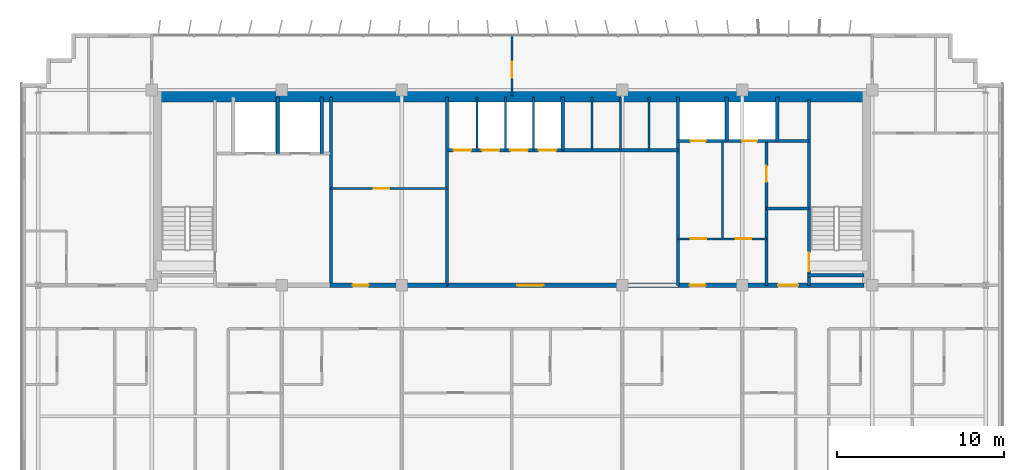
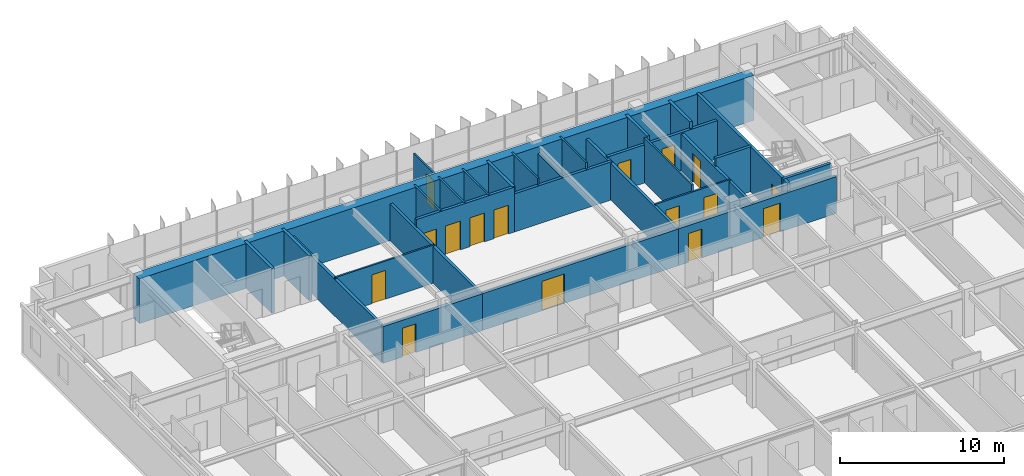
# One storey, part 19 of 22: 29 walls, 16 doors, 16 openings.
"""IFC4 building model written with IfcOpenShell, lengths in metres."""

from ifc_helpers import new_model, si_unit, direction, frame, frame_2d, origin, place, context, subcontext, project, spatial, rectangle, extrude, source, transform, mapped, material, layer, layer_set, type_object, element, fill, save


model = new_model("IFC4")

# Units and contexts
model_context = context("Model", 3, precision=1e-05, world=origin(), true_north=direction((0.0, 1.0)))
body_context = subcontext(model_context, "Body", "Model", "MODEL_VIEW")
ifc_project = project(units=[si_unit("LENGTHUNIT", "METRE"), si_unit("AREAUNIT", "SQUARE_METRE"), si_unit("VOLUMEUNIT", "CUBIC_METRE"), si_unit("PLANEANGLEUNIT", "RADIAN"), si_unit("MASSUNIT", "GRAM", prefix="KILO")], contexts=[model_context])

# Site, building, storey
site_placement = place(None, origin())
site = spatial("IfcSite", under=ifc_project, at=site_placement, CompositionType="ELEMENT")
building_placement = place(site_placement, origin())
building = spatial("IfcBuilding", under=site, at=building_placement, Name="Trelvane Seafront Commons", CompositionType="ELEMENT")
storey_placement = place(building_placement, frame((0.0, 0.0, 139.300048828125)))
storey = spatial("IfcBuildingStorey", under=building, at=storey_placement, Name="L36", CompositionType="ELEMENT", Elevation=139.300048828125)

# Wall, opening, door
ifc_material_1 = material(Name="Concrete C40/50", Category="concrete")
ifc_layer_1 = layer(ifc_material_1, 0.199951171875, Name="ARCH-WALL-FIRE200")
ifc_layer_set_1 = layer_set([ifc_layer_1], Name="Concrete C40/50")
wall_type_1 = type_object("IfcWallType", Name="ARCH-WALL-FIRE200", PredefinedType="PARTITIONING", material=ifc_layer_set_1)
wall_1_placement = place(storey_placement, frame((52.449951171875, 33.39990234375, 0.0), z_axis=(0.0, 0.0, 1.0), x_axis=(0.0, 1.0, 0.0)))
wall_1 = element("IfcWall", 1, at=wall_1_placement, inside=storey, type_object=wall_type_1, Name="W-L36-ST2V-W-031", PredefinedType="PARTITIONING", context=body_context, shape_type="SweptSolid", body=[
    extrude(rectangle(XDim=8.650146484375, YDim=0.199951171875, at=frame_2d((4.3251953125, 0.0))), origin(), (0.0, 0.0, 1.0), 2.75),
])
opening_1_placement = place(wall_1_placement, frame((6.199951171875, 0.0, 0.0)))
opening_1 = element("IfcOpeningElement", 2, at=opening_1_placement, cuts=wall_1, Name="Opening FD-L36-15", PredefinedType="OPENING", context=body_context, shape_type="SweptSolid", body=[
    extrude(rectangle(XDim=0.949951171875, YDim=2.14990234375, at=frame_2d((0.47509765625, 1.074951171875))), frame((0.0, 0.10986328125, 0.0), z_axis=(0.0, -1.0, 0.0), x_axis=(1.0, 0.0, 0.0)), (0.0, 0.0, 1.0), 0.219970703125),
])
ifc_material_2 = material(Name="Powder-coated aluminium frame", Category="aluminium")
door_type_1 = type_object("IfcDoorType", Name="ARCH-DR-FD60-950", OperationType="NOTDEFINED", PredefinedType="DOOR", material=ifc_material_2)
shared_shape_1 = source(origin(), body_context, "Body", "SweptSolid", [
    extrude(rectangle(XDim=0.949951171875, YDim=2.14990234375, at=frame_2d((0.47509765625, 1.074951171875))), frame((0.0, 0.02490234375, 0.0), z_axis=(0.0, -1.0, 0.0), x_axis=(1.0, 0.0, 0.0)), (0.0, 0.0, 1.0), 0.050048828125),
])
door_1_placement = place(opening_1_placement, origin())
door_1 = element("IfcDoor", 3, at=door_1_placement, inside=storey, type_object=door_type_1, Name="L36 Cleaner Store Door", OperationType="SINGLE_SWING_LEFT", OverallHeight=2.14990234375, OverallWidth=0.949951171875, PredefinedType="DOOR", context=body_context, shape_type="MappedRepresentation", body=[
    mapped(shared_shape_1, transform((0.0, 0.0, 0.0), x_axis=(1.0, 0.0, 0.0), y_axis=(0.0, 1.0, 0.0), z_axis=(0.0, 0.0, 1.0), scale=1.0)),
])
fill(opening_1, door_1)

# Wall
wall_2_placement = place(storey_placement, frame((52.449951171875, 38.0, 0.0), z_axis=(0.0, 0.0, 1.0), x_axis=(1.0, 0.0, 0.0)))
element("IfcWall", 4, at=wall_2_placement, inside=storey, type_object=wall_type_1, Name="W-L36-ST2V-N-032", PredefinedType="PARTITIONING", context=body_context, shape_type="SweptSolid", body=[
    extrude(rectangle(XDim=2.550048828125, YDim=0.199951171875, at=frame_2d((1.27490234375, 0.0))), origin(), (0.0, 0.0, 1.0), 3.349853515625),
])

# Wall, opening, door
ifc_layer_2 = layer(ifc_material_1, 0.25, Name="ARCH-WALL-FIRE250")
ifc_layer_set_2 = layer_set([ifc_layer_2], Name="Concrete C40/50")
wall_type_2 = type_object("IfcWallType", Name="ARCH-WALL-FIRE250", PredefinedType="PARTITIONING", material=ifc_layer_set_2)
wall_3_placement = place(storey_placement, frame((26.300048828125, 33.39990234375, 0.0), z_axis=(0.0, 0.0, 1.0), x_axis=(1.0, 0.0, 0.0)))
wall_3 = element("IfcWall", 5, at=wall_3_placement, inside=storey, type_object=wall_type_2, Name="W-L36-CS-FPL-026", PredefinedType="PARTITIONING", context=body_context, shape_type="SweptSolid", body=[
    extrude(rectangle(XDim=7.0, YDim=0.25, at=frame_2d((3.5, 0.0))), origin(), (0.0, 0.0, 1.0), 2.75),
])
opening_2_placement = place(wall_3_placement, frame((1.35009765625, 0.0, 0.0)))
opening_2 = element("IfcOpeningElement", 6, at=opening_2_placement, cuts=wall_3, Name="Opening D-L36-11", PredefinedType="OPENING", context=body_context, shape_type="SweptSolid", body=[
    extrude(rectangle(XDim=0.949951171875, YDim=2.14990234375, at=frame_2d((0.47509765625, 1.074951171875))), frame((0.0, 0.135009765625, 0.0), z_axis=(0.0, -1.0, 0.0), x_axis=(1.0, 0.0, 0.0)), (0.0, 0.0, 1.0), 0.27001953125),
])
ifc_material_3 = material(Name="Acoustic timber door leaf", Category="wood")
door_type_2 = type_object("IfcDoorType", Name="ARCH-DR-INT950", OperationType="NOTDEFINED", PredefinedType="DOOR", material=ifc_material_3)
door_2_placement = place(opening_2_placement, origin())
door_2 = element("IfcDoor", 7, at=door_2_placement, inside=storey, type_object=door_type_2, Name="L36 Floor Pantry Entrance Door", OperationType="SINGLE_SWING_LEFT", OverallHeight=2.14990234375, OverallWidth=0.949951171875, PredefinedType="DOOR", context=body_context, shape_type="MappedRepresentation", body=[
    mapped(shared_shape_1, transform((0.0, 0.0, 0.0), x_axis=(1.0, 0.0, 0.0), y_axis=(0.0, 1.0, 0.0), z_axis=(0.0, 0.0, 1.0), scale=1.0)),
])
fill(opening_2, door_2)

wall_4_placement = place(storey_placement, frame((33.300048828125, 33.39990234375, 0.0), z_axis=(0.0, 0.0, 1.0), x_axis=(1.0, 0.0, 0.0)))
wall_4 = element("IfcWall", 8, at=wall_4_placement, inside=storey, type_object=wall_type_2, Name="W-L36-CS-PAX-027", PredefinedType="PARTITIONING", context=body_context, shape_type="SweptSolid", body=[
    extrude(rectangle(XDim=13.849853515625, YDim=0.25, at=frame_2d((6.9248046875, 0.0))), origin(), (0.0, 0.0, 1.0), 2.75),
])
opening_3_placement = place(wall_4_placement, frame((4.199951171875, 0.0, 0.0)))
opening_3 = element("IfcOpeningElement", 9, at=opening_3_placement, cuts=wall_4, Name="Opening FD-L36-12", PredefinedType="OPENING", context=body_context, shape_type="SweptSolid", body=[
    extrude(rectangle(XDim=1.60009765625, YDim=2.199951171875, at=frame_2d((0.800048828125, 1.10009765625))), frame((0.0, 0.135009765625, 0.0), z_axis=(0.0, -1.0, 0.0), x_axis=(1.0, 0.0, 0.0)), (0.0, 0.0, 1.0), 0.27001953125),
])
door_type_3 = type_object("IfcDoorType", Name="ARCH-DR-FD60-1600", OperationType="DOUBLE_DOOR_SINGLE_SWING", PredefinedType="DOOR", material=ifc_material_2)
shared_shape_2 = source(origin(), body_context, "Body", "SweptSolid", [
    extrude(rectangle(XDim=1.60009765625, YDim=2.199951171875, at=frame_2d((0.800048828125, 1.10009765625))), frame((0.0, 0.02490234375, 0.0), z_axis=(0.0, -1.0, 0.0), x_axis=(1.0, 0.0, 0.0)), (0.0, 0.0, 1.0), 0.050048828125),
])
door_3_placement = place(opening_3_placement, origin())
door_3 = element("IfcDoor", 10, at=door_3_placement, inside=storey, type_object=door_type_3, Name="L36 Passenger Lift Lobby Double Door", OperationType="DOUBLE_DOOR_SINGLE_SWING", OverallHeight=2.199951171875, OverallWidth=1.60009765625, PredefinedType="DOOR", context=body_context, shape_type="MappedRepresentation", body=[
    mapped(shared_shape_2, transform((0.0, 0.0, 0.0), x_axis=(1.0, 0.0, 0.0), y_axis=(0.0, 1.0, 0.0), z_axis=(0.0, 0.0, 1.0), scale=1.0)),
])
fill(opening_3, door_3)

# Wall, openings, doors
wall_5_placement = place(storey_placement, frame((47.14990234375, 33.39990234375, 0.0), z_axis=(0.0, 0.0, 1.0), x_axis=(1.0, 0.0, 0.0)))
wall_5 = element("IfcWall", 11, at=wall_5_placement, inside=storey, type_object=wall_type_2, Name="W-L36-CS-EAST-035", PredefinedType="PARTITIONING", context=body_context, shape_type="SweptSolid", body=[
    extrude(rectangle(XDim=11.150146484375, YDim=0.25, at=frame_2d((5.5751953125, 0.0))), origin(), (0.0, 0.0, 1.0), 2.75),
])
opening_4_placement = place(wall_5_placement, frame((0.699951171875, 0.0, 0.0)))
opening_4 = element("IfcOpeningElement", 12, at=opening_4_placement, cuts=wall_5, Name="Opening FD-L36-18", PredefinedType="OPENING", context=body_context, shape_type="SweptSolid", body=[
    extrude(rectangle(XDim=0.949951171875, YDim=2.14990234375, at=frame_2d((0.47509765625, 1.074951171875))), frame((0.0, 0.135009765625, 0.0), z_axis=(0.0, -1.0, 0.0), x_axis=(1.0, 0.0, 0.0)), (0.0, 0.0, 1.0), 0.27001953125),
])
opening_5_placement = place(wall_5_placement, frame((6.0, 0.0, 0.0)))
opening_5 = element("IfcOpeningElement", 13, at=opening_5_placement, cuts=wall_5, Name="Opening FD-L36-19", PredefinedType="OPENING", context=body_context, shape_type="SweptSolid", body=[
    extrude(rectangle(XDim=1.199951171875, YDim=2.14990234375, at=frame_2d((0.60009765625, 1.074951171875))), frame((0.0, 0.135009765625, 0.0), z_axis=(0.0, -1.0, 0.0), x_axis=(1.0, 0.0, 0.0)), (0.0, 0.0, 1.0), 0.27001953125),
])
door_4_placement = place(opening_4_placement, origin())
door_4 = element("IfcDoor", 14, at=door_4_placement, inside=storey, type_object=door_type_1, Name="L36 Core Service Lobby Door", OperationType="SINGLE_SWING_RIGHT", OverallHeight=2.14990234375, OverallWidth=0.949951171875, PredefinedType="DOOR", context=body_context, shape_type="MappedRepresentation", body=[
    mapped(shared_shape_1, transform((0.0, 0.0, 0.0), x_axis=(1.0, 0.0, 0.0), y_axis=(0.0, 1.0, 0.0), z_axis=(0.0, 0.0, 1.0), scale=1.0)),
])
fill(opening_4, door_4)
door_type_4 = type_object("IfcDoorType", Name="ARCH-DR-FD60-1200", OperationType="NOTDEFINED", PredefinedType="DOOR", material=ifc_material_2)
shared_shape_3 = source(origin(), body_context, "Body", "SweptSolid", [
    extrude(rectangle(XDim=1.199951171875, YDim=2.14990234375, at=frame_2d((0.60009765625, 1.074951171875))), frame((0.0, 0.02490234375, 0.0), z_axis=(0.0, -1.0, 0.0), x_axis=(1.0, 0.0, 0.0)), (0.0, 0.0, 1.0), 0.050048828125),
])
door_5_placement = place(opening_5_placement, origin())
door_5 = element("IfcDoor", 15, at=door_5_placement, inside=storey, type_object=door_type_4, Name="L36 East Stair Vestibule Fire Door", OperationType="SINGLE_SWING_LEFT", OverallHeight=2.14990234375, OverallWidth=1.199951171875, PredefinedType="DOOR", context=body_context, shape_type="MappedRepresentation", body=[
    mapped(shared_shape_3, transform((0.0, 0.0, 0.0), x_axis=(1.0, 0.0, 0.0), y_axis=(0.0, 1.0, 0.0), z_axis=(0.0, 0.0, 1.0), scale=1.0)),
])
fill(opening_5, door_5)

# Wall, opening, door
ifc_material_4 = material(Name="Gypsum Drywall Acoustic Partition")
ifc_layer_3 = layer(ifc_material_4, 0.1201171875, Name="ARCH-WALL-PART120")
ifc_layer_set_3 = layer_set([ifc_layer_3], Name="Gypsum Drywall Acoustic Partition")
wall_type_3 = type_object("IfcWallType", Name="ARCH-WALL-PART120", PredefinedType="PARTITIONING", material=ifc_layer_set_3)
wall_6_placement = place(storey_placement, frame((26.300048828125, 39.199951171875, 0.0), z_axis=(0.0, 0.0, 1.0), x_axis=(1.0, 0.0, 0.0)))
wall_6 = element("IfcWall", 16, at=wall_6_placement, inside=storey, type_object=wall_type_3, Name="W-L36-FREED-PL-MID-014", PredefinedType="PARTITIONING", context=body_context, shape_type="SweptSolid", body=[
    extrude(rectangle(XDim=7.0, YDim=0.1201171875, at=frame_2d((3.5, 0.0))), origin(), (0.0, 0.0, 1.0), 2.849853515625),
])
opening_6_placement = place(wall_6_placement, frame((2.60009765625, 0.0, 0.0)))
opening_6 = element("IfcOpeningElement", 17, at=opening_6_placement, cuts=wall_6, Name="Opening D-L36-06", PredefinedType="OPENING", context=body_context, shape_type="SweptSolid", body=[
    extrude(rectangle(XDim=0.949951171875, YDim=2.14990234375, at=frame_2d((0.47509765625, 1.074951171875))), frame((0.0, 0.070068359375, 0.0), z_axis=(0.0, -1.0, 0.0), x_axis=(1.0, 0.0, 0.0)), (0.0, 0.0, 1.0), 0.14013671875),
])
door_6_placement = place(opening_6_placement, origin())
door_6 = element("IfcDoor", 18, at=door_6_placement, inside=storey, type_object=door_type_2, Name="L36 Housekeeping Store Door", OperationType="SINGLE_SWING_RIGHT", OverallHeight=2.14990234375, OverallWidth=0.949951171875, PredefinedType="DOOR", context=body_context, shape_type="MappedRepresentation", body=[
    mapped(shared_shape_1, transform((0.0, 0.0, 0.0), x_axis=(1.0, 0.0, 0.0), y_axis=(0.0, 1.0, 0.0), z_axis=(0.0, 0.0, 1.0), scale=1.0)),
])
fill(opening_6, door_6)

# Walls
for number, where, z_axis, x_axis, name in (
    (19, (35.10009765625, 41.5, 0.0), (0.0, 0.0, 1.0), (0.0, 1.0, 0.0), "W-L36-PM-DIV1-017"),
    (20, (36.800048828125, 41.5, 0.0), (0.0, 0.0, 1.0), (0.0, 1.0, 0.0), "W-L36-PM-DIV2-018"),
    (21, (38.5, 41.5, 0.0), (0.0, 0.0, 1.0), (0.0, 1.0, 0.0), "W-L36-PM-DIV3-019"),
    (22, (42.0, 41.5, 0.0), (0.0, 0.0, 1.0), (0.0, 1.0, 0.0), "W-L36-PH-DIV1-022"),
):
    element("IfcWall", number, at=place(storey_placement, frame(where, z_axis=z_axis, x_axis=x_axis)), inside=storey, type_object=wall_type_3, Name=name, PredefinedType="PARTITIONING", context=body_context, shape_type="SweptSolid", body=[
        extrude(rectangle(XDim=3.199951171875, YDim=0.1201171875, at=frame_2d((1.60009765625, 0.0))), origin(), (0.0, 0.0, 1.0), 3.349853515625),
    ])
wall_7_placement = place(storey_placement, frame((43.699951171875, 41.5, 0.0), z_axis=(0.0, 0.0, 1.0), x_axis=(0.0, 1.0, 0.0)))
element("IfcWall", 23, at=wall_7_placement, inside=storey, type_object=wall_type_3, Name="W-L36-PH-DIV2-023", PredefinedType="PARTITIONING", context=body_context, shape_type="SweptSolid", body=[
    extrude(rectangle(XDim=3.199951171875, YDim=0.1201171875, at=frame_2d((1.60009765625, 0.0))), origin(), (0.0, 0.0, 1.0), 2.849853515625),
])
wall_8_placement = place(storey_placement, frame((45.39990234375, 41.5, 0.0), z_axis=(0.0, 0.0, 1.0), x_axis=(0.0, 1.0, 0.0)))
element("IfcWall", 24, at=wall_8_placement, inside=storey, type_object=wall_type_3, Name="W-L36-PH-DIV3-024", PredefinedType="PARTITIONING", context=body_context, shape_type="SweptSolid", body=[
    extrude(rectangle(XDim=3.199951171875, YDim=0.1201171875, at=frame_2d((1.60009765625, 0.0))), origin(), (0.0, 0.0, 1.0), 3.349853515625),
])

# Wall, openings, doors
wall_9_placement = place(storey_placement, frame((47.14990234375, 36.179931640625, 0.0), z_axis=(0.0, 0.0, 1.0), x_axis=(1.0, 0.0, 0.0)))
wall_9 = element("IfcWall", 25, at=wall_9_placement, inside=storey, type_object=wall_type_3, Name="W-L36-CYC1-H-033", PredefinedType="PARTITIONING", context=body_context, shape_type="SweptSolid", body=[
    extrude(rectangle(XDim=5.300048828125, YDim=0.1201171875, at=frame_2d((2.64990234375, 0.0))), origin(), (0.0, 0.0, 1.0), 2.849853515625),
])
opening_7_placement = place(wall_9_placement, frame((0.75, 0.0, 0.0)))
opening_7 = element("IfcOpeningElement", 26, at=opening_7_placement, cuts=wall_9, Name="Opening D-L36-16", PredefinedType="OPENING", context=body_context, shape_type="SweptSolid", body=[
    extrude(rectangle(XDim=0.949951171875, YDim=2.14990234375, at=frame_2d((0.47509765625, 1.074951171875))), frame((0.0, 0.070068359375, 0.0), z_axis=(0.0, -1.0, 0.0), x_axis=(1.0, 0.0, 0.0)), (0.0, 0.0, 1.0), 0.14013671875),
])
opening_8_placement = place(wall_9_placement, frame((3.449951171875, 0.0, 0.0)))
opening_8 = element("IfcOpeningElement", 27, at=opening_8_placement, cuts=wall_9, Name="Opening D-L36-17", PredefinedType="OPENING", context=body_context, shape_type="SweptSolid", body=[
    extrude(rectangle(XDim=0.949951171875, YDim=2.14990234375, at=frame_2d((0.47509765625, 1.074951171875))), frame((0.0, 0.070068359375, 0.0), z_axis=(0.0, -1.0, 0.0), x_axis=(1.0, 0.0, 0.0)), (0.0, 0.0, 1.0), 0.14013671875),
])
door_7_placement = place(opening_7_placement, origin())
door_7 = element("IfcDoor", 28, at=door_7_placement, inside=storey, type_object=door_type_2, Name="L36 Accessible WC Door", OperationType="SINGLE_SWING_RIGHT", OverallHeight=2.14990234375, OverallWidth=0.949951171875, PredefinedType="DOOR", context=body_context, shape_type="MappedRepresentation", body=[
    mapped(shared_shape_1, transform((0.0, 0.0, 0.0), x_axis=(1.0, 0.0, 0.0), y_axis=(0.0, 1.0, 0.0), z_axis=(0.0, 0.0, 1.0), scale=1.0)),
])
fill(opening_7, door_7)
door_8_placement = place(opening_8_placement, origin())
door_8 = element("IfcDoor", 29, at=door_8_placement, inside=storey, type_object=door_type_2, Name="L36 BMS Room Door", OperationType="SINGLE_SWING_LEFT", OverallHeight=2.14990234375, OverallWidth=0.949951171875, PredefinedType="DOOR", context=body_context, shape_type="MappedRepresentation", body=[
    mapped(shared_shape_1, transform((0.0, 0.0, 0.0), x_axis=(1.0, 0.0, 0.0), y_axis=(0.0, 1.0, 0.0), z_axis=(0.0, 0.0, 1.0), scale=1.0)),
])
fill(opening_8, door_8)

# Wall
wall_10_placement = place(storey_placement, frame((49.820068359375, 36.179931640625, 0.0), z_axis=(0.0, 0.0, 1.0), x_axis=(0.0, 1.0, 0.0)))
element("IfcWall", 30, at=wall_10_placement, inside=storey, type_object=wall_type_3, Name="W-L36-CYC1-V-034", PredefinedType="PARTITIONING", context=body_context, shape_type="SweptSolid", body=[
    extrude(rectangle(XDim=5.820068359375, YDim=0.1201171875, at=frame_2d((2.91015625, 0.0))), origin(), (0.0, 0.0, 1.0), 3.349853515625),
])

# Wall, opening, door
wall_11_placement = place(storey_placement, frame((37.199951171875, 44.75, 0.0), z_axis=(0.0, 0.0, 1.0), x_axis=(0.0, 1.0, 0.0)))
wall_11 = element("IfcWall", 31, at=wall_11_placement, inside=storey, type_object=wall_type_3, Name="W-L36-N-MID-DV-048", PredefinedType="PARTITIONING", context=body_context, shape_type="SweptSolid", body=[
    extrude(rectangle(XDim=3.610107421875, YDim=0.1201171875, at=frame_2d((1.80517578125, 0.0))), origin(), (0.0, 0.0, 1.0), 2.75),
])
opening_9_placement = place(wall_11_placement, frame((1.10009765625, 0.0, 0.0)))
opening_9 = element("IfcOpeningElement", 32, at=opening_9_placement, cuts=wall_11, Name="Opening D-L36-28", PredefinedType="OPENING", context=body_context, shape_type="SweptSolid", body=[
    extrude(rectangle(XDim=0.949951171875, YDim=2.14990234375, at=frame_2d((0.47509765625, 1.074951171875))), frame((0.0, 0.070068359375, 0.0), z_axis=(0.0, -1.0, 0.0), x_axis=(1.0, 0.0, 0.0)), (0.0, 0.0, 1.0), 0.14013671875),
])
door_9_placement = place(opening_9_placement, origin())
door_9 = element("IfcDoor", 33, at=door_9_placement, inside=storey, type_object=door_type_2, Name="L36 Door 28", OperationType="SINGLE_SWING_RIGHT", OverallHeight=2.14990234375, OverallWidth=0.949951171875, PredefinedType="DOOR", context=body_context, shape_type="MappedRepresentation", body=[
    mapped(shared_shape_1, transform((0.0, 0.0, 0.0), x_axis=(1.0, 0.0, 0.0), y_axis=(0.0, 1.0, 0.0), z_axis=(0.0, 0.0, 1.0), scale=1.0)),
])
fill(opening_9, door_9)

# Walls
ifc_layer_4 = layer(ifc_material_1, 0.199951171875, Name="ARCH-WALL-SHAFT200")
ifc_layer_set_4 = layer_set([ifc_layer_4], Name="Concrete C40/50")
wall_type_4 = type_object("IfcWallType", Name="ARCH-WALL-SHAFT200", PredefinedType="SOLIDWALL", material=ifc_layer_set_4)
for number, where, z_axis, x_axis, name in (
    (34, (23.14990234375, 41.300048828125, 0.0), (0.0, 0.0, 1.0), (0.0, 1.0, 0.0), "W-L36-FFL-DIV-010"),
    (35, (25.800048828125, 41.300048828125, 0.0), (0.0, 0.0, 1.0), (0.0, 1.0, 0.0), "W-L36-FFL-SH-E-011"),
):
    element("IfcWall", number, at=place(storey_placement, frame(where, z_axis=z_axis, x_axis=x_axis)), inside=storey, type_object=wall_type_4, Name=name, PredefinedType="SOLIDWALL", context=body_context, shape_type="SweptSolid", body=[
        extrude(rectangle(XDim=3.39990234375, YDim=0.199951171875, at=frame_2d((1.699951171875, 0.0))), origin(), (0.0, 0.0, 1.0), 3.349853515625),
    ])
for number, where, z_axis, x_axis, name in (
    (36, (26.35009765625, 33.39990234375, 0.0), (0.0, 0.0, 1.0), (0.0, 1.0, 0.0), "W-L36-FFL-EAST-012"),
    (37, (33.300048828125, 33.39990234375, 0.0), (0.0, 0.0, 1.0), (0.0, 1.0, 0.0), "W-L36-FREED-PL-E-015"),
):
    element("IfcWall", number, at=place(storey_placement, frame(where, z_axis=z_axis, x_axis=x_axis)), inside=storey, type_object=wall_type_4, Name=name, PredefinedType="SOLIDWALL", context=body_context, shape_type="SweptSolid", body=[
        extrude(rectangle(XDim=11.300048828125, YDim=0.199951171875, at=frame_2d((5.64990234375, 0.0))), origin(), (0.0, 0.0, 1.0), 2.75),
    ])

# Wall, openings, doors
wall_12_placement = place(storey_placement, frame((33.35009765625, 41.5, 0.0), z_axis=(0.0, 0.0, 1.0), x_axis=(1.0, 0.0, 0.0)))
wall_12 = element("IfcWall", 38, at=wall_12_placement, inside=storey, type_object=wall_type_4, Name="W-L36-PM-FRONT-016", PredefinedType="SOLIDWALL", context=body_context, shape_type="SweptSolid", body=[
    extrude(rectangle(XDim=6.89990234375, YDim=0.199951171875, at=frame_2d((3.449951171875, 0.0))), origin(), (0.0, 0.0, 1.0), 3.349853515625),
])
opening_10_placement = place(wall_12_placement, frame((0.35009765625, 0.0, 0.0)))
opening_10 = element("IfcOpeningElement", 39, at=opening_10_placement, cuts=wall_12, Name="Opening LD-PM1-L36", PredefinedType="OPENING", context=body_context, shape_type="SweptSolid", body=[
    extrude(rectangle(XDim=1.050048828125, YDim=2.14990234375, at=frame_2d((0.52490234375, 1.074951171875))), frame((0.0, 0.10986328125, 0.0), z_axis=(0.0, -1.0, 0.0), x_axis=(1.0, 0.0, 0.0)), (0.0, 0.0, 1.0), 0.219970703125),
])
opening_11_placement = place(wall_12_placement, frame((2.050048828125, 0.0, 0.0)))
opening_11 = element("IfcOpeningElement", 40, at=opening_11_placement, cuts=wall_12, Name="Opening LD-PM2-L36", PredefinedType="OPENING", context=body_context, shape_type="SweptSolid", body=[
    extrude(rectangle(XDim=1.050048828125, YDim=2.14990234375, at=frame_2d((0.52490234375, 1.074951171875))), frame((0.0, 0.10986328125, 0.0), z_axis=(0.0, -1.0, 0.0), x_axis=(1.0, 0.0, 0.0)), (0.0, 0.0, 1.0), 0.219970703125),
])
opening_12_placement = place(wall_12_placement, frame((3.75, 0.0, 0.0)))
opening_12 = element("IfcOpeningElement", 41, at=opening_12_placement, cuts=wall_12, Name="Opening LD-PM3-L36", PredefinedType="OPENING", context=body_context, shape_type="SweptSolid", body=[
    extrude(rectangle(XDim=1.050048828125, YDim=2.14990234375, at=frame_2d((0.52490234375, 1.074951171875))), frame((0.0, 0.10986328125, 0.0), z_axis=(0.0, -1.0, 0.0), x_axis=(1.0, 0.0, 0.0)), (0.0, 0.0, 1.0), 0.219970703125),
])
opening_13_placement = place(wall_12_placement, frame((5.449951171875, 0.0, 0.0)))
opening_13 = element("IfcOpeningElement", 42, at=opening_13_placement, cuts=wall_12, Name="Opening LD-PM4-L36", PredefinedType="OPENING", context=body_context, shape_type="SweptSolid", body=[
    extrude(rectangle(XDim=1.050048828125, YDim=2.14990234375, at=frame_2d((0.52490234375, 1.074951171875))), frame((0.0, 0.10986328125, 0.0), z_axis=(0.0, -1.0, 0.0), x_axis=(1.0, 0.0, 0.0)), (0.0, 0.0, 1.0), 0.219970703125),
])
ifc_material_5 = material(Name="Stainless steel balustrade", Category="steel")
door_type_5 = type_object("IfcDoorType", Name="ARCH-DR-LD1050", OperationType="DOUBLE_DOOR_SLIDING", PredefinedType="DOOR", material=ifc_material_5)
shared_shape_4 = source(origin(), body_context, "Body", "SweptSolid", [
    extrude(rectangle(XDim=1.050048828125, YDim=2.14990234375, at=frame_2d((0.52490234375, 1.074951171875))), frame((0.0, 0.02490234375, 0.0), z_axis=(0.0, -1.0, 0.0), x_axis=(1.0, 0.0, 0.0)), (0.0, 0.0, 1.0), 0.050048828125),
])
door_10_placement = place(opening_10_placement, origin())
door_10 = element("IfcDoor", 43, at=door_10_placement, inside=storey, type_object=door_type_5, Name="L36 Passenger Lift PM-1 Landing Door", OperationType="DOUBLE_DOOR_SLIDING", OverallHeight=2.14990234375, OverallWidth=1.050048828125, PredefinedType="DOOR", context=body_context, shape_type="MappedRepresentation", body=[
    mapped(shared_shape_4, transform((0.0, 0.0, 0.0), x_axis=(1.0, 0.0, 0.0), y_axis=(0.0, 1.0, 0.0), z_axis=(0.0, 0.0, 1.0), scale=1.0)),
])
fill(opening_10, door_10)
door_11_placement = place(opening_11_placement, origin())
door_11 = element("IfcDoor", 44, at=door_11_placement, inside=storey, type_object=door_type_5, Name="L36 Passenger Lift PM-2 Landing Door", OperationType="DOUBLE_DOOR_SLIDING", OverallHeight=2.14990234375, OverallWidth=1.050048828125, PredefinedType="DOOR", context=body_context, shape_type="MappedRepresentation", body=[
    mapped(shared_shape_4, transform((0.0, 0.0, 0.0), x_axis=(1.0, 0.0, 0.0), y_axis=(0.0, 1.0, 0.0), z_axis=(0.0, 0.0, 1.0), scale=1.0)),
])
fill(opening_11, door_11)
door_12_placement = place(opening_12_placement, origin())
door_12 = element("IfcDoor", 45, at=door_12_placement, inside=storey, type_object=door_type_5, Name="L36 Passenger Lift PM-3 Landing Door", OperationType="DOUBLE_DOOR_SLIDING", OverallHeight=2.14990234375, OverallWidth=1.050048828125, PredefinedType="DOOR", context=body_context, shape_type="MappedRepresentation", body=[
    mapped(shared_shape_4, transform((0.0, 0.0, 0.0), x_axis=(1.0, 0.0, 0.0), y_axis=(0.0, 1.0, 0.0), z_axis=(0.0, 0.0, 1.0), scale=1.0)),
])
fill(opening_12, door_12)
door_13_placement = place(opening_13_placement, origin())
door_13 = element("IfcDoor", 46, at=door_13_placement, inside=storey, type_object=door_type_5, Name="L36 Passenger Lift PM-4 Landing Door", OperationType="DOUBLE_DOOR_SLIDING", OverallHeight=2.14990234375, OverallWidth=1.050048828125, PredefinedType="DOOR", context=body_context, shape_type="MappedRepresentation", body=[
    mapped(shared_shape_4, transform((0.0, 0.0, 0.0), x_axis=(1.0, 0.0, 0.0), y_axis=(0.0, 1.0, 0.0), z_axis=(0.0, 0.0, 1.0), scale=1.0)),
])
fill(opening_13, door_13)

# Walls
wall_13_placement = place(storey_placement, frame((40.25, 41.5, 0.0), z_axis=(0.0, 0.0, 1.0), x_axis=(1.0, 0.0, 0.0)))
element("IfcWall", 47, at=wall_13_placement, inside=storey, type_object=wall_type_4, Name="W-L36-PH-FRONT-020", PredefinedType="SOLIDWALL", context=body_context, shape_type="SweptSolid", body=[
    extrude(rectangle(XDim=6.89990234375, YDim=0.199951171875, at=frame_2d((3.449951171875, 0.0))), origin(), (0.0, 0.0, 1.0), 2.849853515625),
])
wall_14_placement = place(storey_placement, frame((40.25, 41.5, 0.0), z_axis=(0.0, 0.0, 1.0), x_axis=(0.0, 1.0, 0.0)))
element("IfcWall", 48, at=wall_14_placement, inside=storey, type_object=wall_type_4, Name="W-L36-PH-WEST-SH-021", PredefinedType="SOLIDWALL", context=body_context, shape_type="SweptSolid", body=[
    extrude(rectangle(XDim=3.199951171875, YDim=0.199951171875, at=frame_2d((1.60009765625, 0.0))), origin(), (0.0, 0.0, 1.0), 3.349853515625),
])
wall_15_placement = place(storey_placement, frame((47.14990234375, 33.39990234375, 0.0), z_axis=(0.0, 0.0, 1.0), x_axis=(0.0, 1.0, 0.0)))
element("IfcWall", 49, at=wall_15_placement, inside=storey, type_object=wall_type_4, Name="W-L36-PH-EAST-025", PredefinedType="SOLIDWALL", context=body_context, shape_type="SweptSolid", body=[
    extrude(rectangle(XDim=11.300048828125, YDim=0.199951171875, at=frame_2d((5.64990234375, 0.0))), origin(), (0.0, 0.0, 1.0), 2.75),
])

# Wall, openings, doors
wall_16_placement = place(storey_placement, frame((47.14990234375, 42.050048828125, 0.0), z_axis=(0.0, 0.0, 1.0), x_axis=(1.0, 0.0, 0.0)))
wall_16 = element("IfcWall", 50, at=wall_16_placement, inside=storey, type_object=wall_type_4, Name="W-L36-RSR-S-028", PredefinedType="SOLIDWALL", context=body_context, shape_type="SweptSolid", body=[
    extrude(rectangle(XDim=7.85009765625, YDim=0.199951171875, at=frame_2d((3.925048828125, 0.0))), origin(), (0.0, 0.0, 1.0), 2.849853515625),
])
opening_14_placement = place(wall_16_placement, frame((0.75, 0.0, 0.0)))
opening_14 = element("IfcOpeningElement", 51, at=opening_14_placement, cuts=wall_16, Name="Opening FD-L36-13", PredefinedType="OPENING", context=body_context, shape_type="SweptSolid", body=[
    extrude(rectangle(XDim=0.89990234375, YDim=2.10009765625, at=frame_2d((0.449951171875, 1.050048828125))), frame((0.0, 0.10986328125, 0.0), z_axis=(0.0, -1.0, 0.0), x_axis=(1.0, 0.0, 0.0)), (0.0, 0.0, 1.0), 0.219970703125),
])
opening_15_placement = place(wall_16_placement, frame((3.85009765625, 0.0, 0.0)))
opening_15 = element("IfcOpeningElement", 52, at=opening_15_placement, cuts=wall_16, Name="Opening FD-L36-14", PredefinedType="OPENING", context=body_context, shape_type="SweptSolid", body=[
    extrude(rectangle(XDim=0.89990234375, YDim=2.10009765625, at=frame_2d((0.449951171875, 1.050048828125))), frame((0.0, 0.10986328125, 0.0), z_axis=(0.0, -1.0, 0.0), x_axis=(1.0, 0.0, 0.0)), (0.0, 0.0, 1.0), 0.219970703125),
])
door_type_6 = type_object("IfcDoorType", Name="ARCH-DR-FD60-900", OperationType="NOTDEFINED", PredefinedType="DOOR", material=ifc_material_2)
shared_shape_5 = source(origin(), body_context, "Body", "SweptSolid", [
    extrude(rectangle(XDim=0.89990234375, YDim=2.10009765625, at=frame_2d((0.449951171875, 1.050048828125))), frame((0.0, 0.02490234375, 0.0), z_axis=(0.0, -1.0, 0.0), x_axis=(1.0, 0.0, 0.0)), (0.0, 0.0, 1.0), 0.050048828125),
])
door_14_placement = place(opening_14_placement, origin())
door_14 = element("IfcDoor", 53, at=door_14_placement, inside=storey, type_object=door_type_6, Name="L36 Electrical Riser Access Door", OperationType="SINGLE_SWING_LEFT", OverallHeight=2.10009765625, OverallWidth=0.89990234375, PredefinedType="DOOR", context=body_context, shape_type="MappedRepresentation", body=[
    mapped(shared_shape_5, transform((0.0, 0.0, 0.0), x_axis=(1.0, 0.0, 0.0), y_axis=(0.0, 1.0, 0.0), z_axis=(0.0, 0.0, 1.0), scale=1.0)),
])
fill(opening_14, door_14)
door_15_placement = place(opening_15_placement, origin())
door_15 = element("IfcDoor", 54, at=door_15_placement, inside=storey, type_object=door_type_6, Name="L36 Mechanical Riser Access Door", OperationType="SINGLE_SWING_RIGHT", OverallHeight=2.10009765625, OverallWidth=0.89990234375, PredefinedType="DOOR", context=body_context, shape_type="MappedRepresentation", body=[
    mapped(shared_shape_5, transform((0.0, 0.0, 0.0), x_axis=(1.0, 0.0, 0.0), y_axis=(0.0, 1.0, 0.0), z_axis=(0.0, 0.0, 1.0), scale=1.0)),
])
fill(opening_15, door_15)

# Walls
for number, where, z_axis, x_axis, name in (
    (55, (50.080078125, 42.050048828125, 0.0), (0.0, 0.0, 1.0), (0.0, 1.0, 0.0), "W-L36-RSR-DIV-029"),
    (56, (53.10009765625, 42.050048828125, 0.0), (0.0, 0.0, 1.0), (0.0, 1.0, 0.0), "W-L36-RSR-E-030"),
):
    element("IfcWall", number, at=place(storey_placement, frame(where, z_axis=z_axis, x_axis=x_axis)), inside=storey, type_object=wall_type_4, Name=name, PredefinedType="SOLIDWALL", context=body_context, shape_type="SweptSolid", body=[
        extrude(rectangle(XDim=2.64990234375, YDim=0.199951171875, at=frame_2d((1.324951171875, 0.0))), origin(), (0.0, 0.0, 1.0), 3.349853515625),
    ])
ifc_material_6 = material(Name="Concrete C60/75", Category="concrete")
ifc_layer_5 = layer(ifc_material_6, 0.699951171875, Name="STR-WALL-CORE700")
ifc_layer_set_5 = layer_set([ifc_layer_5], Name="Concrete C60/75")
wall_type_5 = type_object("IfcWallType", Name="STR-WALL-CORE700", PredefinedType="SHEAR", material=ifc_layer_set_5)
wall_17_placement = place(storey_placement, frame((15.5, 44.75, 0.0), z_axis=(0.0, 0.0, 1.0), x_axis=(1.0, 0.0, 0.0)))
element("IfcWall", 57, at=wall_17_placement, inside=storey, type_object=wall_type_5, Name="W-L36-CN-ALL-001", PredefinedType="SHEAR", context=body_context, shape_type="SweptSolid", body=[
    extrude(rectangle(XDim=43.39990234375, YDim=0.699951171875, at=frame_2d((21.699951171875, 0.0))), origin(), (0.0, 0.0, 1.0), 3.349853515625),
])
ifc_material_7 = material(Name="Concrete C50/60", Category="concrete")
ifc_layer_6 = layer(ifc_material_7, 0.199951171875, Name="STR-WALL-STAIR200")
ifc_layer_set_6 = layer_set([ifc_layer_6], Name="Concrete C50/60")
wall_type_6 = type_object("IfcWallType", Name="STR-WALL-STAIR200", PredefinedType="SHEAR", material=ifc_layer_set_6)
wall_18_placement = place(storey_placement, frame((54.89990234375, 34.0, 0.0), z_axis=(0.0, 0.0, 1.0), x_axis=(1.0, 0.0, 0.0)))
element("IfcWall", 58, at=wall_18_placement, inside=storey, type_object=wall_type_6, Name="W-L36-ST2-S-006", PredefinedType="SHEAR", context=body_context, shape_type="SweptSolid", body=[
    extrude(rectangle(XDim=3.400146484375, YDim=0.199951171875, at=frame_2d((1.7001953125, 0.0))), origin(), (0.0, 0.0, 1.0), 3.349853515625),
])

# Wall, opening, door
wall_19_placement = place(storey_placement, frame((55.0, 33.39990234375, 0.0), z_axis=(0.0, 0.0, 1.0), x_axis=(0.0, 1.0, 0.0)))
wall_19 = element("IfcWall", 59, at=wall_19_placement, inside=storey, type_object=wall_type_6, Name="W-L36-ST2-W-007", PredefinedType="SHEAR", context=body_context, shape_type="SweptSolid", body=[
    extrude(rectangle(XDim=11.10009765625, YDim=0.199951171875, at=frame_2d((5.550048828125, 0.0))), origin(), (0.0, 0.0, 1.0), 3.349853515625),
])
opening_16_placement = place(wall_19_placement, frame((0.85009765625, 0.0, 0.0)))
opening_16 = element("IfcOpeningElement", 60, at=opening_16_placement, cuts=wall_19, Name="Opening ST-D2-L36", PredefinedType="OPENING", context=body_context, shape_type="SweptSolid", body=[
    extrude(rectangle(XDim=1.10009765625, YDim=2.14990234375, at=frame_2d((0.550048828125, 1.074951171875))), frame((0.0, 0.10986328125, 0.0), z_axis=(0.0, -1.0, 0.0), x_axis=(1.0, 0.0, 0.0)), (0.0, 0.0, 1.0), 0.219970703125),
])
door_type_7 = type_object("IfcDoorType", Name="ARCH-DR-FD90-1100", OperationType="NOTDEFINED", PredefinedType="DOOR", material=ifc_material_2)
shared_shape_6 = source(origin(), body_context, "Body", "SweptSolid", [
    extrude(rectangle(XDim=1.10009765625, YDim=2.14990234375, at=frame_2d((0.550048828125, 1.074951171875))), frame((0.0, 0.02490234375, 0.0), z_axis=(0.0, -1.0, 0.0), x_axis=(1.0, 0.0, 0.0)), (0.0, 0.0, 1.0), 0.050048828125),
])
door_16_placement = place(opening_16_placement, origin())
door_16 = element("IfcDoor", 61, at=door_16_placement, inside=storey, type_object=door_type_7, Name="L36 Stair ST-2 Vestibule Fire Door", OperationType="SINGLE_SWING_RIGHT", OverallHeight=2.14990234375, OverallWidth=1.10009765625, PredefinedType="DOOR", context=body_context, shape_type="MappedRepresentation", body=[
    mapped(shared_shape_6, transform((0.0, 0.0, 0.0), x_axis=(1.0, 0.0, 0.0), y_axis=(0.0, 1.0, 0.0), z_axis=(0.0, 0.0, 1.0), scale=1.0)),
])
fill(opening_16, door_16)

save(model, "model.ifc")
